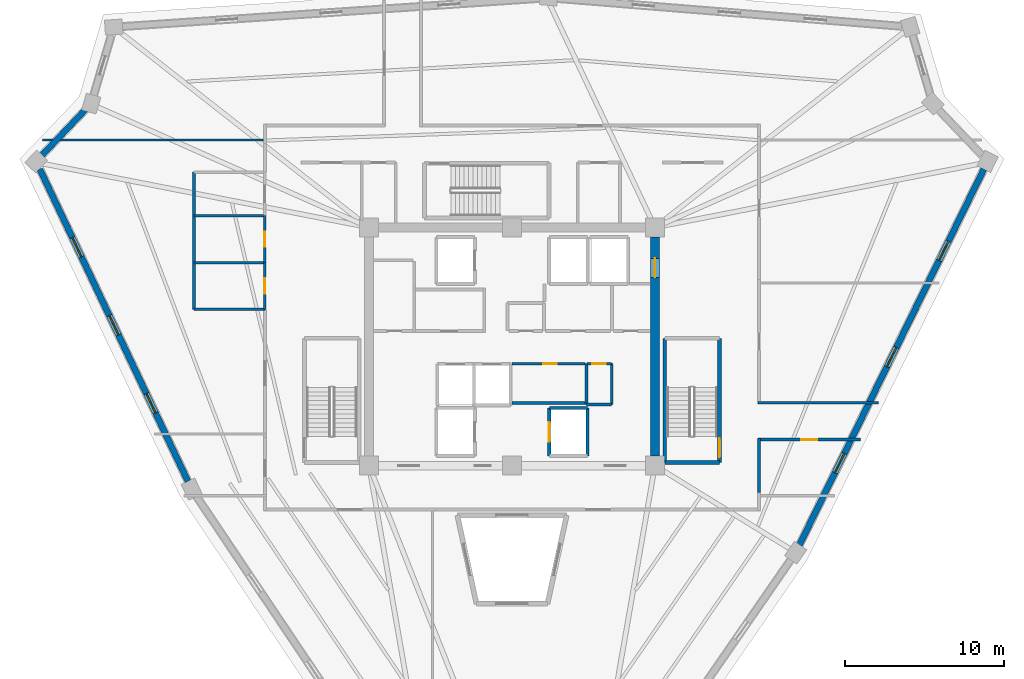
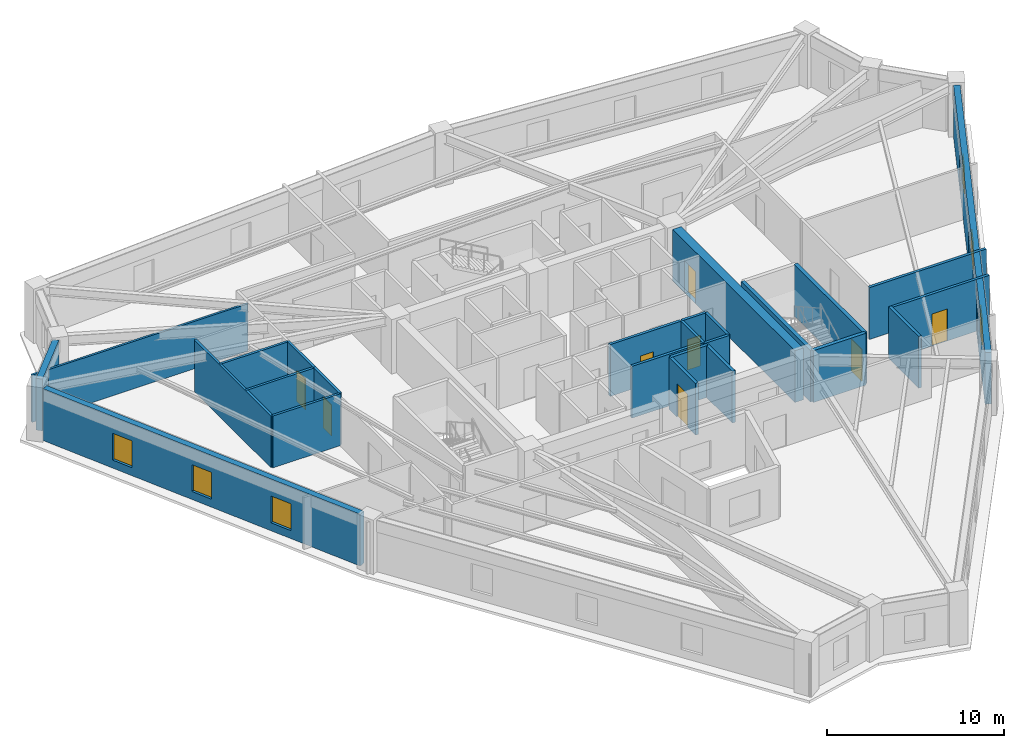
# One storey, part 4 of 8: 26 walls, 8 doors, 6 windows, 14 openings.
"""IFC4 building model written with IfcOpenShell, lengths in metres."""

from ifc_helpers import new_model, si_unit, direction, frame, frame_2d, origin, place, context, subcontext, project, spatial, rectangle, extrude, source, transform, mapped, material, layer, layer_set, type_object, element, fill, save


model = new_model("IFC4")

# Units and contexts
model_context = context("Model", 3, precision=1e-05, world=origin(), true_north=direction((0.0, 1.0)))
body_context = subcontext(model_context, "Body", "Model", "MODEL_VIEW")
ifc_project = project(units=[si_unit("LENGTHUNIT", "METRE"), si_unit("AREAUNIT", "SQUARE_METRE"), si_unit("VOLUMEUNIT", "CUBIC_METRE"), si_unit("PLANEANGLEUNIT", "RADIAN"), si_unit("MASSUNIT", "GRAM", prefix="KILO")], contexts=[model_context])

# Site, building, storey
site_placement = place(None, origin())
site = spatial("IfcSite", under=ifc_project, at=site_placement, CompositionType="ELEMENT")
building_placement = place(site_placement, origin())
building = spatial("IfcBuilding", under=site, at=building_placement, Name="Liaohun Quay Tower", CompositionType="ELEMENT")
storey_placement = place(building_placement, frame((0.0, 0.0, 316.5)))
storey = spatial("IfcBuildingStorey", under=building, at=storey_placement, Name="L82", CompositionType="ELEMENT", Elevation=316.5)

# Wall, opening, door
ifc_material_1 = material(Name="Concrete C50", Category="concrete")
ifc_layer_1 = layer(ifc_material_1, 0.550048828125, Name="Concrete C50", Category="concrete")
ifc_layer_set_1 = layer_set([ifc_layer_1], Name="Concrete C50")
wall_type_1 = type_object("IfcWallType", Name="WAL-COR-Z4", PredefinedType="SHEAR", material=ifc_layer_set_1)
wall_1_placement = place(storey_placement, frame((69.0, 60.89990234375, 0.0), z_axis=(0.0, 0.0, 1.0), x_axis=(0.0, -1.0, 0.0)))
wall_1 = element("IfcWall", 1, at=wall_1_placement, inside=storey, type_object=wall_type_1, Name="L82 Central Core Shear Wall E", PredefinedType="SHEAR", context=body_context, shape_type="SweptSolid", body=[
    extrude(rectangle(XDim=13.7998046875, YDim=0.550048828125, at=frame_2d((6.89990234375, 0.0))), origin(), (0.0, 0.0, 1.0), 3.570068359375),
])
shared_shape_1 = source(origin(), body_context, "Body", "SweptSolid", [
    extrude(rectangle(XDim=1.199951171875, YDim=2.199951171875, at=frame_2d((0.60009765625, 1.10009765625))), frame((0.0, 0.284912109375, 0.0), z_axis=(0.0, -1.0, 0.0), x_axis=(1.0, 0.0, 0.0)), (0.0, 0.0, 1.0), 0.570068359375),
])
opening_1_placement = place(wall_1_placement, frame((1.35009765625, 0.0, 0.0)))
opening_1 = element("IfcOpeningElement", 2, at=opening_1_placement, cuts=wall_1, Name="Opening SD1", PredefinedType="OPENING", context=body_context, shape_type="MappedRepresentation", body=[
    mapped(shared_shape_1, transform((0.0, 0.0, 0.0), x_axis=(1.0, 0.0, 0.0), y_axis=(0.0, 1.0, 0.0), z_axis=(0.0, 0.0, 1.0), scale=1.0)),
])
ifc_material_2 = material(Name="Galvanised steel fire door", Category="steel")
door_type_1 = type_object("IfcDoorType", Name="DOR-STR-1200", OperationType="NOTDEFINED", PredefinedType="DOOR", material=ifc_material_2)
shared_shape_2 = source(origin(), body_context, "Body", "SweptSolid", [
    extrude(rectangle(XDim=1.199951171875, YDim=2.199951171875, at=frame_2d((0.60009765625, 1.10009765625))), frame((0.0, 0.02490234375, 0.0), z_axis=(0.0, -1.0, 0.0), x_axis=(1.0, 0.0, 0.0)), (0.0, 0.0, 1.0), 0.050048828125),
])
door_1_placement = place(opening_1_placement, origin())
door_1 = element("IfcDoor", 3, at=door_1_placement, inside=storey, type_object=door_type_1, Name="L82 North-East Core Lobby Smokeproof Door", OperationType="SINGLE_SWING_LEFT", OverallHeight=2.199951171875, OverallWidth=1.199951171875, PredefinedType="DOOR", context=body_context, shape_type="MappedRepresentation", body=[
    mapped(shared_shape_2, transform((0.0, 0.0, 0.0), x_axis=(1.0, 0.0, 0.0), y_axis=(0.0, 1.0, 0.0), z_axis=(0.0, 0.0, 1.0), scale=1.0)),
])
fill(opening_1, door_1)

# Wall, openings, windows
ifc_material_3 = material(Name="Precast concrete C50 insulated sandwich", Category="concrete")
ifc_layer_2 = layer(ifc_material_3, 0.3798828125, Name="Precast concrete C50 insulated sandwich", Category="concrete")
ifc_layer_set_2 = layer_set([ifc_layer_2], Name="Precast concrete C50 insulated sandwich")
wall_type_2 = type_object("IfcWallType", Name="WAL-EXT-Z34", PredefinedType="SOLIDWALL", material=ifc_layer_set_2)
wall_2_placement = place(storey_placement, frame((78.097900390625, 41.507080078125, 0.0), z_axis=(0.0, 0.0, 1.0), x_axis=(0.440578765421, 0.897713958597, 0.0)))
wall_2 = element("IfcWall", 4, at=wall_2_placement, inside=storey, type_object=wall_type_2, Name="L82 Brutalist Precast Pier Wall 03", PredefinedType="SOLIDWALL", context=body_context, shape_type="SweptSolid", body=[
    extrude(rectangle(XDim=26.36572265625, YDim=0.3798828125, at=frame_2d((13.182861328125, 0.0))), origin(), (0.0, 0.0, 1.0), 3.570068359375),
])
shared_shape_3 = source(origin(), body_context, "Body", "SweptSolid", [
    extrude(rectangle(XDim=1.35009765625, YDim=1.85009765625, at=frame_2d((0.675048828125, 0.925048828125))), frame((0.0, 0.199951171875, 0.0), z_axis=(0.0, -1.0, 0.0), x_axis=(1.0, 0.0, 0.0)), (0.0, 0.0, 1.0), 0.39990234375),
])
opening_2_placement = place(wall_2_placement, frame((5.06591796875, 0.0, 0.550048828125)))
opening_2 = element("IfcOpeningElement", 5, at=opening_2_placement, cuts=wall_2, Name="Opening W04", PredefinedType="OPENING", context=body_context, shape_type="MappedRepresentation", body=[
    mapped(shared_shape_3, transform((0.0, 0.0, 0.0), x_axis=(1.0, 0.0, 0.0), y_axis=(0.0, 1.0, 0.0), z_axis=(0.0, 0.0, 1.0), scale=1.0)),
])
opening_3_placement = place(wall_2_placement, frame((12.508056640625, 0.0, 0.550048828125)))
opening_3 = element("IfcOpeningElement", 6, at=opening_3_placement, cuts=wall_2, Name="Opening W04", PredefinedType="OPENING", context=body_context, shape_type="MappedRepresentation", body=[
    mapped(shared_shape_3, transform((0.0, 0.0, 0.0), x_axis=(1.0, 0.0, 0.0), y_axis=(0.0, 1.0, 0.0), z_axis=(0.0, 0.0, 1.0), scale=1.0)),
])
opening_4_placement = place(wall_2_placement, frame((19.948974609375, 0.0, 0.550048828125)))
opening_4 = element("IfcOpeningElement", 7, at=opening_4_placement, cuts=wall_2, Name="Opening W04", PredefinedType="OPENING", context=body_context, shape_type="MappedRepresentation", body=[
    mapped(shared_shape_3, transform((0.0, 0.0, 0.0), x_axis=(1.0, 0.0, 0.0), y_axis=(0.0, 1.0, 0.0), z_axis=(0.0, 0.0, 1.0), scale=1.0)),
])
ifc_material_4 = material(Name="Triple Low-E argon glazing in thermally broken aluminium", Category="aluminium")
window_type = type_object("IfcWindowType", Name="WIN-PUN-Z4", PartitioningType="SINGLE_PANEL", PredefinedType="WINDOW", material=ifc_material_4)
shared_shape_4 = source(origin(), body_context, "Body", "SweptSolid", [
    extrude(rectangle(XDim=1.35009765625, YDim=1.85009765625, at=frame_2d((0.675048828125, 0.925048828125))), frame((0.0, 0.030029296875, 0.0), z_axis=(0.0, -1.0, 0.0), x_axis=(1.0, 0.0, 0.0)), (0.0, 0.0, 1.0), 0.06005859375),
])
window_1_placement = place(opening_2_placement, origin())
window_1 = element("IfcWindow", 8, at=window_1_placement, inside=storey, type_object=window_type, Name="L82 Recessed Cold-Climate Punched Window 03-1", OverallHeight=1.85009765625, OverallWidth=1.35009765625, PartitioningType="SINGLE_PANEL", PredefinedType="WINDOW", context=body_context, shape_type="MappedRepresentation", body=[
    mapped(shared_shape_4, transform((0.0, 0.0, 0.0), x_axis=(1.0, 0.0, 0.0), y_axis=(0.0, 1.0, 0.0), z_axis=(0.0, 0.0, 1.0), scale=1.0)),
])
fill(opening_2, window_1)
window_2_placement = place(opening_3_placement, origin())
window_2 = element("IfcWindow", 9, at=window_2_placement, inside=storey, type_object=window_type, Name="L82 Recessed Cold-Climate Punched Window 03-2", OverallHeight=1.85009765625, OverallWidth=1.35009765625, PartitioningType="SINGLE_PANEL", PredefinedType="WINDOW", context=body_context, shape_type="MappedRepresentation", body=[
    mapped(shared_shape_4, transform((0.0, 0.0, 0.0), x_axis=(1.0, 0.0, 0.0), y_axis=(0.0, 1.0, 0.0), z_axis=(0.0, 0.0, 1.0), scale=1.0)),
])
fill(opening_3, window_2)
window_3_placement = place(opening_4_placement, origin())
window_3 = element("IfcWindow", 10, at=window_3_placement, inside=storey, type_object=window_type, Name="L82 Recessed Cold-Climate Punched Window 03-3", OverallHeight=1.85009765625, OverallWidth=1.35009765625, PartitioningType="SINGLE_PANEL", PredefinedType="WINDOW", context=body_context, shape_type="MappedRepresentation", body=[
    mapped(shared_shape_4, transform((0.0, 0.0, 0.0), x_axis=(1.0, 0.0, 0.0), y_axis=(0.0, 1.0, 0.0), z_axis=(0.0, 0.0, 1.0), scale=1.0)),
])
fill(opening_4, window_3)

# Wall
wall_3_placement = place(storey_placement, frame((33.135009765625, 68.905029296875, 0.0), z_axis=(0.0, 0.0, 1.0), x_axis=(-0.689384826268, -0.724395307351, 0.0)))
element("IfcWall", 11, at=wall_3_placement, inside=storey, type_object=wall_type_2, Name="L82 Brutalist Precast Pier Wall 09", PredefinedType="SOLIDWALL", context=body_context, shape_type="SweptSolid", body=[
    extrude(rectangle(XDim=3.947021484375, YDim=0.3798828125, at=frame_2d((1.9736328125, 0.0))), origin(), (0.0, 0.0, 1.0), 3.570068359375),
])

# Wall, openings, windows
wall_4_placement = place(storey_placement, frame((30.27294921875, 65.1669921875, 0.0), z_axis=(0.0, 0.0, 1.0), x_axis=(0.428684844901, -0.903454096096, 0.0)))
wall_4 = element("IfcWall", 12, at=wall_4_placement, inside=storey, type_object=wall_type_2, Name="L82 Brutalist Precast Pier Wall 10", PredefinedType="SOLIDWALL", context=body_context, shape_type="SweptSolid", body=[
    extrude(rectangle(XDim=21.757568359375, YDim=0.3798828125, at=frame_2d((10.87890625, 0.0))), origin(), (0.0, 0.0, 1.0), 3.570068359375),
])
opening_5_placement = place(wall_4_placement, frame((4.763916015625, 0.0, 0.550048828125)))
opening_5 = element("IfcOpeningElement", 13, at=opening_5_placement, cuts=wall_4, Name="Opening W04", PredefinedType="OPENING", context=body_context, shape_type="MappedRepresentation", body=[
    mapped(shared_shape_3, transform((0.0, 0.0, 0.0), x_axis=(1.0, 0.0, 0.0), y_axis=(0.0, 1.0, 0.0), z_axis=(0.0, 0.0, 1.0), scale=1.0)),
])
opening_6_placement = place(wall_4_placement, frame((10.2041015625, 0.0, 0.550048828125)))
opening_6 = element("IfcOpeningElement", 14, at=opening_6_placement, cuts=wall_4, Name="Opening W04", PredefinedType="OPENING", context=body_context, shape_type="MappedRepresentation", body=[
    mapped(shared_shape_3, transform((0.0, 0.0, 0.0), x_axis=(1.0, 0.0, 0.0), y_axis=(0.0, 1.0, 0.0), z_axis=(0.0, 0.0, 1.0), scale=1.0)),
])
opening_7_placement = place(wall_4_placement, frame((15.64306640625, 0.0, 0.550048828125)))
opening_7 = element("IfcOpeningElement", 15, at=opening_7_placement, cuts=wall_4, Name="Opening W04", PredefinedType="OPENING", context=body_context, shape_type="MappedRepresentation", body=[
    mapped(shared_shape_3, transform((0.0, 0.0, 0.0), x_axis=(1.0, 0.0, 0.0), y_axis=(0.0, 1.0, 0.0), z_axis=(0.0, 0.0, 1.0), scale=1.0)),
])
window_4_placement = place(opening_5_placement, origin())
window_4 = element("IfcWindow", 16, at=window_4_placement, inside=storey, type_object=window_type, Name="L82 Recessed Cold-Climate Punched Window 10-1", OverallHeight=1.85009765625, OverallWidth=1.35009765625, PartitioningType="SINGLE_PANEL", PredefinedType="WINDOW", context=body_context, shape_type="MappedRepresentation", body=[
    mapped(shared_shape_4, transform((0.0, 0.0, 0.0), x_axis=(1.0, 0.0, 0.0), y_axis=(0.0, 1.0, 0.0), z_axis=(0.0, 0.0, 1.0), scale=1.0)),
])
fill(opening_5, window_4)
window_5_placement = place(opening_6_placement, origin())
window_5 = element("IfcWindow", 17, at=window_5_placement, inside=storey, type_object=window_type, Name="L82 Recessed Cold-Climate Punched Window 10-2", OverallHeight=1.85009765625, OverallWidth=1.35009765625, PartitioningType="SINGLE_PANEL", PredefinedType="WINDOW", context=body_context, shape_type="MappedRepresentation", body=[
    mapped(shared_shape_4, transform((0.0, 0.0, 0.0), x_axis=(1.0, 0.0, 0.0), y_axis=(0.0, 1.0, 0.0), z_axis=(0.0, 0.0, 1.0), scale=1.0)),
])
fill(opening_6, window_5)
window_6_placement = place(opening_7_placement, origin())
window_6 = element("IfcWindow", 18, at=window_6_placement, inside=storey, type_object=window_type, Name="L82 Recessed Cold-Climate Punched Window 10-3", OverallHeight=1.85009765625, OverallWidth=1.35009765625, PartitioningType="SINGLE_PANEL", PredefinedType="WINDOW", context=body_context, shape_type="MappedRepresentation", body=[
    mapped(shared_shape_4, transform((0.0, 0.0, 0.0), x_axis=(1.0, 0.0, 0.0), y_axis=(0.0, 1.0, 0.0), z_axis=(0.0, 0.0, 1.0), scale=1.0)),
])
fill(opening_7, window_6)

# Wall, opening, door
ifc_material_5 = material(Name="Autoclaved aerated concrete blockwork", Category="masonry")
ifc_layer_3 = layer(ifc_material_5, 0.179931640625, Name="Autoclaved aerated concrete blockwork", Category="masonry")
ifc_layer_set_3 = layer_set([ifc_layer_3], Name="Autoclaved aerated concrete blockwork")
wall_type_3 = type_object("IfcWallType", Name="WAL-PRT-COR", PredefinedType="PARTITIONING", material=ifc_layer_set_3)
wall_5_placement = place(storey_placement, frame((60.0, 52.919921875, 0.0), z_axis=(0.0, 0.0, 1.0), x_axis=(1.0, 0.0, 0.0)))
wall_5 = element("IfcWall", 19, at=wall_5_placement, inside=storey, type_object=wall_type_3, Name="L82 Interior Partition Wall 001", PredefinedType="PARTITIONING", context=body_context, shape_type="SweptSolid", body=[
    extrude(rectangle(XDim=4.60009765625, YDim=0.179931640625, at=frame_2d((2.300048828125, 0.0))), origin(), (0.0, 0.0, 1.0), 3.570068359375),
])
shared_shape_5 = source(origin(), body_context, "Body", "SweptSolid", [
    extrude(rectangle(XDim=0.85009765625, YDim=2.10009765625, at=frame_2d((0.425048828125, 1.050048828125))), frame((0.0, 0.099853515625, 0.0), z_axis=(0.0, -1.0, 0.0), x_axis=(1.0, 0.0, 0.0)), (0.0, 0.0, 1.0), 0.199951171875),
])
opening_8_placement = place(wall_5_placement, frame((1.97509765625, 0.0, 0.0)))
opening_8 = element("IfcOpeningElement", 20, at=opening_8_placement, cuts=wall_5, Name="Opening AD1", PredefinedType="OPENING", context=body_context, shape_type="MappedRepresentation", body=[
    mapped(shared_shape_5, transform((0.0, 0.0, 0.0), x_axis=(1.0, 0.0, 0.0), y_axis=(0.0, 1.0, 0.0), z_axis=(0.0, 0.0, 1.0), scale=1.0)),
])
ifc_material_6 = material(Name="Steel riser inspection fire door", Category="steel")
door_type_2 = type_object("IfcDoorType", Name="DOR-SHF-850", OperationType="NOTDEFINED", PredefinedType="DOOR", material=ifc_material_6)
shared_shape_6 = source(origin(), body_context, "Body", "SweptSolid", [
    extrude(rectangle(XDim=0.85009765625, YDim=2.10009765625, at=frame_2d((0.425048828125, 1.050048828125))), frame((0.0, 0.02490234375, 0.0), z_axis=(0.0, -1.0, 0.0), x_axis=(1.0, 0.0, 0.0)), (0.0, 0.0, 1.0), 0.050048828125),
])
door_2_placement = place(opening_8_placement, origin())
door_2 = element("IfcDoor", 21, at=door_2_placement, inside=storey, type_object=door_type_2, Name="L82 Core High-Zone BMS and Switch Room Door", OperationType="SINGLE_SWING_LEFT", OverallHeight=2.10009765625, OverallWidth=0.85009765625, PredefinedType="DOOR", context=body_context, shape_type="MappedRepresentation", body=[
    mapped(shared_shape_6, transform((0.0, 0.0, 0.0), x_axis=(1.0, 0.0, 0.0), y_axis=(0.0, 1.0, 0.0), z_axis=(0.0, 0.0, 1.0), scale=1.0)),
])
fill(opening_8, door_2)

wall_6_placement = place(storey_placement, frame((64.719970703125, 52.919921875, 0.0), z_axis=(0.0, 0.0, 1.0), x_axis=(1.0, 0.0, 0.0)))
wall_6 = element("IfcWall", 22, at=wall_6_placement, inside=storey, type_object=wall_type_3, Name="L82 Interior Partition Wall 007", PredefinedType="PARTITIONING", context=body_context, shape_type="SweptSolid", body=[
    extrude(rectangle(XDim=1.530029296875, YDim=0.179931640625, at=frame_2d((0.76513671875, 0.0))), origin(), (0.0, 0.0, 1.0), 3.570068359375),
])
opening_9_placement = place(wall_6_placement, frame((0.340087890625, 0.0, 0.0)))
opening_9 = element("IfcOpeningElement", 23, at=opening_9_placement, cuts=wall_6, Name="Opening AD1", PredefinedType="OPENING", context=body_context, shape_type="MappedRepresentation", body=[
    mapped(shared_shape_5, transform((0.0, 0.0, 0.0), x_axis=(1.0, 0.0, 0.0), y_axis=(0.0, 1.0, 0.0), z_axis=(0.0, 0.0, 1.0), scale=1.0)),
])
door_3_placement = place(opening_9_placement, origin())
door_3 = element("IfcDoor", 24, at=door_3_placement, inside=storey, type_object=door_type_2, Name="L82 BMS Data Riser Room Door", OperationType="SINGLE_SWING_LEFT", OverallHeight=2.10009765625, OverallWidth=0.85009765625, PredefinedType="DOOR", context=body_context, shape_type="MappedRepresentation", body=[
    mapped(shared_shape_6, transform((0.0, 0.0, 0.0), x_axis=(1.0, 0.0, 0.0), y_axis=(0.0, 1.0, 0.0), z_axis=(0.0, 0.0, 1.0), scale=1.0)),
])
fill(opening_9, door_3)

wall_7_placement = place(storey_placement, frame((81.947021484375, 48.139892578125, 0.0), z_axis=(0.0, 0.0, 1.0), x_axis=(-1.0, 0.0, 0.0)))
wall_7 = element("IfcWall", 25, at=wall_7_placement, inside=storey, type_object=wall_type_3, Name="L82 Interior Partition Wall 023", PredefinedType="PARTITIONING", context=body_context, shape_type="SweptSolid", body=[
    extrude(rectangle(XDim=6.45703125, YDim=0.179931640625, at=frame_2d((3.228515625, 0.0))), origin(), (0.0, 0.0, 1.0), 3.570068359375),
])
shared_shape_7 = source(origin(), body_context, "Body", "SweptSolid", [
    extrude(rectangle(XDim=1.0, YDim=2.199951171875, at=frame_2d((0.5, 1.10009765625))), frame((0.0, 0.099853515625, 0.0), z_axis=(0.0, -1.0, 0.0), x_axis=(1.0, 0.0, 0.0)), (0.0, 0.0, 1.0), 0.199951171875),
])
opening_10_placement = place(wall_7_placement, frame((2.72900390625, 0.0, 0.0)))
opening_10 = element("IfcOpeningElement", 26, at=opening_10_placement, cuts=wall_7, Name="Opening OD1", PredefinedType="OPENING", context=body_context, shape_type="MappedRepresentation", body=[
    mapped(shared_shape_7, transform((0.0, 0.0, 0.0), x_axis=(1.0, 0.0, 0.0), y_axis=(0.0, 1.0, 0.0), z_axis=(0.0, 0.0, 1.0), scale=1.0)),
])
ifc_material_7 = material(Name="Solid-core oak veneer timber leaf in steel frame", Category="steel")
door_type_3 = type_object("IfcDoorType", Name="DOR-OFF-1000", OperationType="NOTDEFINED", PredefinedType="DOOR", material=ifc_material_7)
shared_shape_8 = source(origin(), body_context, "Body", "SweptSolid", [
    extrude(rectangle(XDim=1.0, YDim=2.199951171875, at=frame_2d((0.5, 1.10009765625))), frame((0.0, 0.02490234375, 0.0), z_axis=(0.0, -1.0, 0.0), x_axis=(1.0, 0.0, 0.0)), (0.0, 0.0, 1.0), 0.050048828125),
])
door_4_placement = place(opening_10_placement, origin())
door_4 = element("IfcDoor", 27, at=door_4_placement, inside=storey, type_object=door_type_3, Name="L82 Records Archive Store 09 Door", OperationType="SINGLE_SWING_LEFT", OverallHeight=2.199951171875, OverallWidth=1.0, PredefinedType="DOOR", context=body_context, shape_type="MappedRepresentation", body=[
    mapped(shared_shape_8, transform((0.0, 0.0, 0.0), x_axis=(1.0, 0.0, 0.0), y_axis=(0.0, 1.0, 0.0), z_axis=(0.0, 0.0, 1.0), scale=1.0)),
])
fill(opening_10, door_4)

# Walls
wall_8_placement = place(storey_placement, frame((64.68994140625, 50.35009765625, 0.0), z_axis=(0.0, 0.0, 1.0), x_axis=(0.0, 1.0, 0.0)))
element("IfcWall", 28, at=wall_8_placement, inside=storey, type_object=wall_type_3, Name="L82 Interior Partition Wall 029", PredefinedType="PARTITIONING", context=body_context, shape_type="SweptSolid", body=[
    extrude(rectangle(XDim=2.56982421875, YDim=0.179931640625, at=frame_2d((1.284912109375, 0.0))), origin(), (0.0, 0.0, 1.0), 3.570068359375),
])
wall_9_placement = place(storey_placement, frame((64.68994140625, 50.35009765625, 0.0), z_axis=(0.0, 0.0, 1.0), x_axis=(1.0, 0.0, 0.0)))
element("IfcWall", 29, at=wall_9_placement, inside=storey, type_object=wall_type_3, Name="L82 Interior Partition Wall 030", PredefinedType="PARTITIONING", context=body_context, shape_type="SweptSolid", body=[
    extrude(rectangle(XDim=1.590087890625, YDim=0.179931640625, at=frame_2d((0.794921875, 0.0))), origin(), (0.0, 0.0, 1.0), 3.570068359375),
])
wall_10_placement = place(storey_placement, frame((66.280029296875, 50.35009765625, 0.0), z_axis=(0.0, 0.0, 1.0), x_axis=(0.0, 1.0, 0.0)))
element("IfcWall", 30, at=wall_10_placement, inside=storey, type_object=wall_type_3, Name="L82 Interior Partition Wall 031", PredefinedType="PARTITIONING", context=body_context, shape_type="SweptSolid", body=[
    extrude(rectangle(XDim=2.56982421875, YDim=0.179931640625, at=frame_2d((1.284912109375, 0.0))), origin(), (0.0, 0.0, 1.0), 3.570068359375),
])
wall_11_placement = place(storey_placement, frame((75.489990234375, 50.4599609375, 0.0), z_axis=(0.0, 0.0, 1.0), x_axis=(1.0, 0.0, 0.0)))
element("IfcWall", 31, at=wall_11_placement, inside=storey, type_object=wall_type_3, Name="L82 Interior Partition Wall 041", PredefinedType="PARTITIONING", context=body_context, shape_type="SweptSolid", body=[
    extrude(rectangle(XDim=7.594970703125, YDim=0.179931640625, at=frame_2d((3.79736328125, 0.0))), origin(), (0.0, 0.0, 1.0), 3.570068359375),
])
wall_12_placement = place(storey_placement, frame((75.56005859375, 48.2099609375, 0.0), z_axis=(0.0, 0.0, 1.0), x_axis=(0.0, -1.0, 0.0)))
element("IfcWall", 32, at=wall_12_placement, inside=storey, type_object=wall_type_3, Name="L82 Interior Partition Wall 049", PredefinedType="PARTITIONING", context=body_context, shape_type="SweptSolid", body=[
    extrude(rectangle(XDim=3.39501953125, YDim=0.179931640625, at=frame_2d((1.697509765625, 0.0))), origin(), (0.0, 0.0, 1.0), 3.570068359375),
])
wall_13_placement = place(storey_placement, frame((60.0, 50.449951171875, 0.0), z_axis=(0.0, 0.0, 1.0), x_axis=(1.0, 0.0, 0.0)))
element("IfcWall", 33, at=wall_13_placement, inside=storey, type_object=wall_type_3, Name="L82 Interior Partition Wall 057", PredefinedType="PARTITIONING", context=body_context, shape_type="SweptSolid", body=[
    extrude(rectangle(XDim=4.60009765625, YDim=0.179931640625, at=frame_2d((2.300048828125, 0.0))), origin(), (0.0, 0.0, 1.0), 3.570068359375),
])
ifc_material_8 = material(Name="Gypsum board on twin steel studs", Category="steel")
ifc_layer_4 = layer(ifc_material_8, 0.139892578125, Name="Gypsum board on twin steel studs", Category="steel")
ifc_layer_set_4 = layer_set([ifc_layer_4], Name="Gypsum board on twin steel studs")
wall_type_4 = type_object("IfcWallType", Name="WAL-PRT-OFF", PredefinedType="PARTITIONING", material=ifc_layer_set_4)
wall_14_placement = place(storey_placement, frame((44.5400390625, 67.0, 0.0), z_axis=(0.0, 0.0, 1.0), x_axis=(-1.0, 0.0, 0.0)))
element("IfcWall", 34, at=wall_14_placement, inside=storey, type_object=wall_type_4, Name="L82 Interior Partition Wall 052", PredefinedType="PARTITIONING", context=body_context, shape_type="SweptSolid", body=[
    extrude(rectangle(XDim=14.087158203125, YDim=0.139892578125, at=frame_2d((7.04345703125, 0.0))), origin(), (0.0, 0.0, 1.0), 3.260986328125),
])

# Wall, opening, door
ifc_material_9 = material(Name="Moisture-resistant masonry blockwork", Category="masonry")
ifc_layer_5 = layer(ifc_material_9, 0.159912109375, Name="Moisture-resistant masonry blockwork", Category="masonry")
ifc_layer_set_5 = layer_set([ifc_layer_5], Name="Moisture-resistant masonry blockwork")
wall_type_5 = type_object("IfcWallType", Name="WAL-PRT-WET", PredefinedType="PARTITIONING", material=ifc_layer_set_5)
wall_15_placement = place(storey_placement, frame((44.43994140625, 56.340087890625, 0.0), z_axis=(0.0, 0.0, 1.0), x_axis=(0.0, 1.0, 0.0)))
wall_15 = element("IfcWall", 35, at=wall_15_placement, inside=storey, type_object=wall_type_5, Name="L82 Interior Partition Wall 008", PredefinedType="PARTITIONING", context=body_context, shape_type="SweptSolid", body=[
    extrude(rectangle(XDim=2.93994140625, YDim=0.159912109375, at=frame_2d((1.469970703125, 0.0))), origin(), (0.0, 0.0, 1.0), 3.570068359375),
])
shared_shape_9 = source(origin(), body_context, "Body", "SweptSolid", [
    extrude(rectangle(XDim=0.949951171875, YDim=2.14990234375, at=frame_2d((0.47509765625, 1.074951171875))), frame((0.0, 0.08984375, 0.0), z_axis=(0.0, -1.0, 0.0), x_axis=(1.0, 0.0, 0.0)), (0.0, 0.0, 1.0), 0.179931640625),
])
opening_11_placement = place(wall_15_placement, frame((0.9951171875, 0.0, 0.0)))
opening_11 = element("IfcOpeningElement", 36, at=opening_11_placement, cuts=wall_15, Name="Opening WD1", PredefinedType="OPENING", context=body_context, shape_type="MappedRepresentation", body=[
    mapped(shared_shape_9, transform((0.0, 0.0, 0.0), x_axis=(1.0, 0.0, 0.0), y_axis=(0.0, 1.0, 0.0), z_axis=(0.0, 0.0, 1.0), scale=1.0)),
])
ifc_material_10 = material(Name="Moisture-resistant laminate timber leaf", Category="wood")
door_type_4 = type_object("IfcDoorType", Name="DOR-WC-950", OperationType="NOTDEFINED", PredefinedType="DOOR", material=ifc_material_10)
shared_shape_10 = source(origin(), body_context, "Body", "SweptSolid", [
    extrude(rectangle(XDim=0.949951171875, YDim=2.14990234375, at=frame_2d((0.47509765625, 1.074951171875))), frame((0.0, 0.02490234375, 0.0), z_axis=(0.0, -1.0, 0.0), x_axis=(1.0, 0.0, 0.0)), (0.0, 0.0, 1.0), 0.050048828125),
])
door_5_placement = place(opening_11_placement, origin())
door_5 = element("IfcDoor", 37, at=door_5_placement, inside=storey, type_object=door_type_4, Name="L82 Male Restroom WC Door", OperationType="SINGLE_SWING_RIGHT", OverallHeight=2.14990234375, OverallWidth=0.949951171875, PredefinedType="DOOR", context=body_context, shape_type="MappedRepresentation", body=[
    mapped(shared_shape_10, transform((0.0, 0.0, 0.0), x_axis=(1.0, 0.0, 0.0), y_axis=(0.0, 1.0, 0.0), z_axis=(0.0, 0.0, 1.0), scale=1.0)),
])
fill(opening_11, door_5)

wall_16_placement = place(storey_placement, frame((44.43994140625, 59.280029296875, 0.0), z_axis=(0.0, 0.0, 1.0), x_axis=(0.0, 1.0, 0.0)))
wall_16 = element("IfcWall", 38, at=wall_16_placement, inside=storey, type_object=wall_type_5, Name="L82 Interior Partition Wall 009", PredefinedType="PARTITIONING", context=body_context, shape_type="SweptSolid", body=[
    extrude(rectangle(XDim=2.9599609375, YDim=0.159912109375, at=frame_2d((1.47998046875, 0.0))), origin(), (0.0, 0.0, 1.0), 3.570068359375),
])
opening_12_placement = place(wall_16_placement, frame((1.0048828125, 0.0, 0.0)))
opening_12 = element("IfcOpeningElement", 39, at=opening_12_placement, cuts=wall_16, Name="Opening WD1", PredefinedType="OPENING", context=body_context, shape_type="MappedRepresentation", body=[
    mapped(shared_shape_9, transform((0.0, 0.0, 0.0), x_axis=(1.0, 0.0, 0.0), y_axis=(0.0, 1.0, 0.0), z_axis=(0.0, 0.0, 1.0), scale=1.0)),
])
door_6_placement = place(opening_12_placement, origin())
door_6 = element("IfcDoor", 40, at=door_6_placement, inside=storey, type_object=door_type_4, Name="L82 Female Restroom WC Door", OperationType="SINGLE_SWING_LEFT", OverallHeight=2.14990234375, OverallWidth=0.949951171875, PredefinedType="DOOR", context=body_context, shape_type="MappedRepresentation", body=[
    mapped(shared_shape_10, transform((0.0, 0.0, 0.0), x_axis=(1.0, 0.0, 0.0), y_axis=(0.0, 1.0, 0.0), z_axis=(0.0, 0.0, 1.0), scale=1.0)),
])
fill(opening_12, door_6)

# Walls
wall_17_placement = place(storey_placement, frame((39.97998046875, 56.340087890625, 0.0), z_axis=(0.0, 0.0, 1.0), x_axis=(0.0, 1.0, 0.0)))
element("IfcWall", 41, at=wall_17_placement, inside=storey, type_object=wall_type_5, Name="L82 Interior Partition Wall 032", PredefinedType="PARTITIONING", context=body_context, shape_type="SweptSolid", body=[
    extrude(rectangle(XDim=8.639892578125, YDim=0.159912109375, at=frame_2d((4.31982421875, 0.0))), origin(), (0.0, 0.0, 1.0), 3.570068359375),
])
for number, where, z_axis, x_axis, name in (
    (42, (39.97998046875, 56.340087890625, 0.0), (0.0, 0.0, 1.0), (1.0, 0.0, 0.0), "L82 Interior Partition Wall 033"),
    (43, (39.97998046875, 59.280029296875, 0.0), (0.0, 0.0, 1.0), (1.0, 0.0, 0.0), "L82 Interior Partition Wall 034"),
    (44, (39.97998046875, 62.239990234375, 0.0), (0.0, 0.0, 1.0), (1.0, 0.0, 0.0), "L82 Interior Partition Wall 035"),
):
    element("IfcWall", number, at=place(storey_placement, frame(where, z_axis=z_axis, x_axis=x_axis)), inside=storey, type_object=wall_type_5, Name=name, PredefinedType="PARTITIONING", context=body_context, shape_type="SweptSolid", body=[
        extrude(rectangle(XDim=4.4599609375, YDim=0.159912109375, at=frame_2d((2.22998046875, 0.0))), origin(), (0.0, 0.0, 1.0), 3.570068359375),
    ])
ifc_layer_6 = layer(ifc_material_1, 0.239990234375, Name="Concrete C50", Category="concrete")
ifc_layer_set_6 = layer_set([ifc_layer_6], Name="Concrete C50")
wall_type_6 = type_object("IfcWallType", Name="WAL-SHF-200", PredefinedType="SOLIDWALL", material=ifc_layer_set_6)
wall_18_placement = place(storey_placement, frame((69.6201171875, 46.699951171875, 0.0), z_axis=(0.0, 0.0, 1.0), x_axis=(1.0, 0.0, 0.0)))
element("IfcWall", 45, at=wall_18_placement, inside=storey, type_object=wall_type_6, Name="L82 Stairwell ST-2 Structural Core Wall S", PredefinedType="SOLIDWALL", context=body_context, shape_type="SweptSolid", body=[
    extrude(rectangle(XDim=3.43994140625, YDim=0.239990234375, at=frame_2d((1.719970703125, 0.0))), origin(), (0.0, 0.0, 1.0), 3.570068359375),
])

# Wall, opening, door
wall_19_placement = place(storey_placement, frame((73.06005859375, 46.699951171875, 0.0), z_axis=(0.0, 0.0, 1.0), x_axis=(0.0, 1.0, 0.0)))
wall_19 = element("IfcWall", 46, at=wall_19_placement, inside=storey, type_object=wall_type_6, Name="L82 Stairwell ST-2 Structural Core Wall E", PredefinedType="SOLIDWALL", context=body_context, shape_type="SweptSolid", body=[
    extrude(rectangle(XDim=7.820068359375, YDim=0.239990234375, at=frame_2d((3.91015625, 0.0))), origin(), (0.0, 0.0, 1.0), 3.570068359375),
])
shared_shape_11 = source(origin(), body_context, "Body", "SweptSolid", [
    extrude(rectangle(XDim=1.199951171875, YDim=2.199951171875, at=frame_2d((0.60009765625, 1.10009765625))), frame((0.0, 0.1298828125, 0.0), z_axis=(0.0, -1.0, 0.0), x_axis=(1.0, 0.0, 0.0)), (0.0, 0.0, 1.0), 0.260009765625),
])
opening_13_placement = place(wall_19_placement, frame((0.320068359375, 0.0, 0.0)))
opening_13 = element("IfcOpeningElement", 47, at=opening_13_placement, cuts=wall_19, Name="Opening SD1", PredefinedType="OPENING", context=body_context, shape_type="MappedRepresentation", body=[
    mapped(shared_shape_11, transform((0.0, 0.0, 0.0), x_axis=(1.0, 0.0, 0.0), y_axis=(0.0, 1.0, 0.0), z_axis=(0.0, 0.0, 1.0), scale=1.0)),
])
door_7_placement = place(opening_13_placement, origin())
door_7 = element("IfcDoor", 48, at=door_7_placement, inside=storey, type_object=door_type_1, Name="L82 Protected Stair ST-2 Fire Door", OperationType="SINGLE_SWING_RIGHT", OverallHeight=2.199951171875, OverallWidth=1.199951171875, PredefinedType="DOOR", context=body_context, shape_type="MappedRepresentation", body=[
    mapped(shared_shape_2, transform((0.0, 0.0, 0.0), x_axis=(1.0, 0.0, 0.0), y_axis=(0.0, 1.0, 0.0), z_axis=(0.0, 0.0, 1.0), scale=1.0)),
])
fill(opening_13, door_7)

# Walls
wall_20_placement = place(storey_placement, frame((69.6201171875, 54.52001953125, 0.0), z_axis=(0.0, 0.0, 1.0), x_axis=(0.0, -1.0, 0.0)))
element("IfcWall", 49, at=wall_20_placement, inside=storey, type_object=wall_type_6, Name="L82 Stairwell ST-2 Structural Core Wall W", PredefinedType="SOLIDWALL", context=body_context, shape_type="SweptSolid", body=[
    extrude(rectangle(XDim=7.820068359375, YDim=0.239990234375, at=frame_2d((3.91015625, 0.0))), origin(), (0.0, 0.0, 1.0), 3.570068359375),
])
wall_21_placement = place(storey_placement, frame((64.75, 47.1201171875, 0.0), z_axis=(0.0, 0.0, 1.0), x_axis=(0.0, 1.0, 0.0)))
element("IfcWall", 50, at=wall_21_placement, inside=storey, type_object=wall_type_6, Name="L82 Lift FF-02 Hoistway Wall E", PredefinedType="SOLIDWALL", context=body_context, shape_type="SweptSolid", body=[
    extrude(rectangle(XDim=3.0, YDim=0.199951171875, at=frame_2d((1.5, 0.0))), origin(), (0.0, 0.0, 1.0), 3.570068359375),
])
wall_22_placement = place(storey_placement, frame((64.75, 50.1201171875, 0.0), z_axis=(0.0, 0.0, 1.0), x_axis=(-1.0, 0.0, 0.0)))
element("IfcWall", 51, at=wall_22_placement, inside=storey, type_object=wall_type_6, Name="L82 Lift FF-02 Hoistway Wall N", PredefinedType="SOLIDWALL", context=body_context, shape_type="SweptSolid", body=[
    extrude(rectangle(XDim=2.39990234375, YDim=0.199951171875, at=frame_2d((1.199951171875, 0.0))), origin(), (0.0, 0.0, 1.0), 3.570068359375),
])

# Wall, opening, door
wall_23_placement = place(storey_placement, frame((62.35009765625, 50.1201171875, 0.0), z_axis=(0.0, 0.0, 1.0), x_axis=(0.0, -1.0, 0.0)))
wall_23 = element("IfcWall", 52, at=wall_23_placement, inside=storey, type_object=wall_type_6, Name="L82 Lift FF-02 Hoistway Wall W", PredefinedType="SOLIDWALL", context=body_context, shape_type="SweptSolid", body=[
    extrude(rectangle(XDim=3.0, YDim=0.199951171875, at=frame_2d((1.5, 0.0))), origin(), (0.0, 0.0, 1.0), 3.570068359375),
])
shared_shape_12 = source(origin(), body_context, "Body", "SweptSolid", [
    extrude(rectangle(XDim=1.199951171875, YDim=2.300048828125, at=frame_2d((0.60009765625, 1.14990234375))), frame((0.0, 0.10986328125, 0.0), z_axis=(0.0, -1.0, 0.0), x_axis=(1.0, 0.0, 0.0)), (0.0, 0.0, 1.0), 0.219970703125),
])
opening_14_placement = place(wall_23_placement, frame((0.89990234375, 0.0, 0.0)))
opening_14 = element("IfcOpeningElement", 53, at=opening_14_placement, cuts=wall_23, Name="Opening LD2", PredefinedType="OPENING", context=body_context, shape_type="MappedRepresentation", body=[
    mapped(shared_shape_12, transform((0.0, 0.0, 0.0), x_axis=(1.0, 0.0, 0.0), y_axis=(0.0, 1.0, 0.0), z_axis=(0.0, 0.0, 1.0), scale=1.0)),
])
ifc_material_11 = material(Name="Brushed stainless steel stretcher landing door", Category="steel")
door_type_5 = type_object("IfcDoorType", Name="DOR-LFT-1200", OperationType="SLIDING_TO_LEFT", PredefinedType="DOOR", material=ifc_material_11)
shared_shape_13 = source(origin(), body_context, "Body", "SweptSolid", [
    extrude(rectangle(XDim=1.199951171875, YDim=2.300048828125, at=frame_2d((0.60009765625, 1.14990234375))), frame((0.0, 0.02490234375, 0.0), z_axis=(0.0, -1.0, 0.0), x_axis=(1.0, 0.0, 0.0)), (0.0, 0.0, 1.0), 0.050048828125),
])
door_8_placement = place(opening_14_placement, origin())
door_8 = element("IfcDoor", 54, at=door_8_placement, inside=storey, type_object=door_type_5, Name="L82 Lift FF-02 Sliding Landing Door", OperationType="SLIDING_TO_LEFT", OverallHeight=2.300048828125, OverallWidth=1.199951171875, PredefinedType="DOOR", context=body_context, shape_type="MappedRepresentation", body=[
    mapped(shared_shape_13, transform((0.0, 0.0, 0.0), x_axis=(1.0, 0.0, 0.0), y_axis=(0.0, 1.0, 0.0), z_axis=(0.0, 0.0, 1.0), scale=1.0)),
])
fill(opening_14, door_8)

save(model, "model.ifc")
